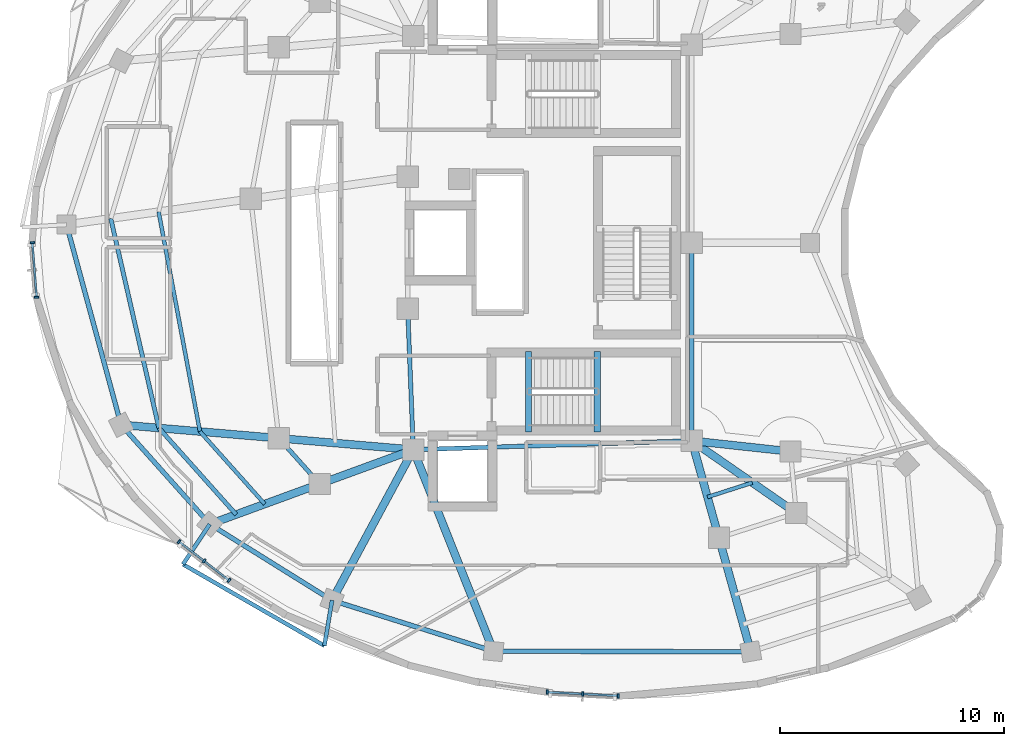
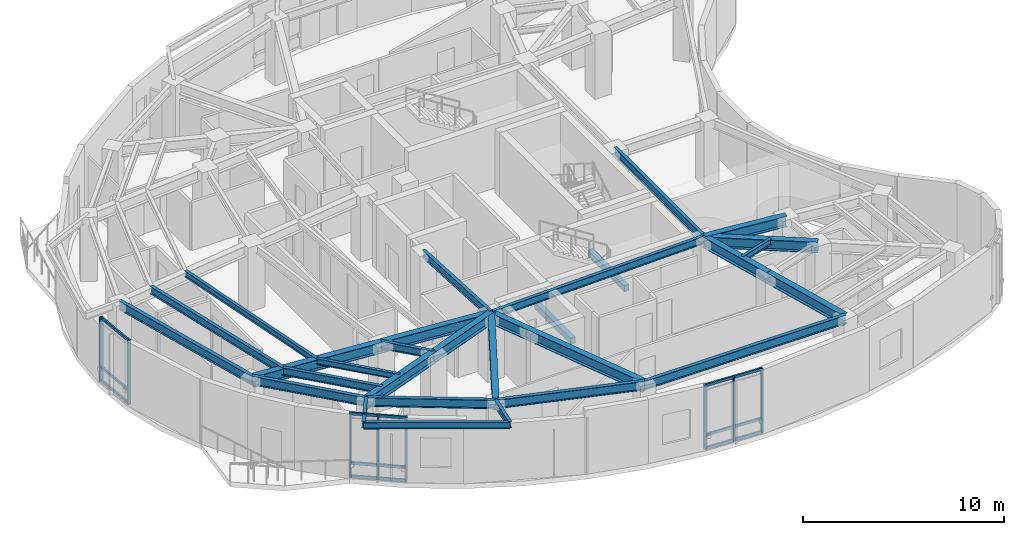
# One storey, part 2 of 13: 29 beams, 23 members, 3 elements without a shape of their own.
"""IFC4 building model written with IfcOpenShell, lengths in metres."""

from ifc_helpers import new_model, si_unit, direction, frame, origin, origin_2d, place, context, subcontext, project, spatial, rectangle, i_section, extrude, material, layer, layer_set, material_profile, profile_set, type_object, element, aggregate, save


model = new_model("IFC4")

# Units and contexts
model_context = context("Model", 3, precision=1e-05, world=origin(), true_north=direction((0.0, 1.0)))
body_context = subcontext(model_context, "Body", "Model", "MODEL_VIEW")
ifc_project = project(units=[si_unit("LENGTHUNIT", "METRE"), si_unit("AREAUNIT", "SQUARE_METRE"), si_unit("VOLUMEUNIT", "CUBIC_METRE"), si_unit("PLANEANGLEUNIT", "RADIAN"), si_unit("MASSUNIT", "GRAM", prefix="KILO")], contexts=[model_context])

# Site, building, storey
site_placement = place(None, origin())
site = spatial("IfcSite", under=ifc_project, at=site_placement, CompositionType="ELEMENT")
building_placement = place(site_placement, origin())
building = spatial("IfcBuilding", under=site, at=building_placement, Name="Korentha Bioscience Tower", CompositionType="ELEMENT")
storey_placement = place(building_placement, frame((0.0, 0.0, 268.800048828125)))
storey = spatial("IfcBuildingStorey", under=building, at=storey_placement, Name="L62", CompositionType="ELEMENT", Elevation=268.800048828125)

# Beams
ifc_material_1 = material(Name="Concrete C50", Category="concrete")
ifc_material_profile_1 = material_profile(ifc_material_1, rectangle(XDim=0.280029296875, YDim=0.3798828125, at=origin_2d()), Name="Concrete C50")
ifc_profile_set_1 = profile_set([ifc_material_profile_1], Name="Concrete C50 (ST-HB380)")
beam_type_1 = type_object("IfcBeamType", Name="Concrete Stair Header Beam RC 280x380", PredefinedType="BEAM", material=ifc_profile_set_1)
for number, where, z_axis, x_axis, name in (
    (1, (30.25, 18.550048828125, -0.18994140625), (0.0, 1.0, 0.0), (-1.0, 0.0, 0.0), "L62 ST-2 Concrete Stair Header Beam"),
    (2, (33.330078125, 18.550048828125, 1.909912109375), (0.0, 1.0, 0.0), (-1.0, 0.0, 0.0), "L62 ST-2 Half-Landing Header Beam 1"),
):
    element("IfcBeam", number, at=place(storey_placement, frame(where, z_axis=z_axis, x_axis=x_axis)), inside=storey, type_object=beam_type_1, Name=name, PredefinedType="BEAM", context=body_context, shape_type="SweptSolid", body=[
        extrude(rectangle(XDim=0.280029296875, YDim=0.3798828125, at=origin_2d()), origin(), (0.0, 0.0, 1.0), 3.599853515625),
    ])
ifc_material_2 = material(Name="Steel S355", Category="steel")
ifc_material_profile_2 = material_profile(ifc_material_2, i_section(OverallWidth=0.18994140625, OverallDepth=0.45703125, WebThickness=0.009033203125, FlangeThickness=0.014404296875, at=origin_2d()), Name="Steel S355")
ifc_profile_set_2 = profile_set([ifc_material_profile_2], Name="Steel S355 (MB-460)")
beam_type_2 = type_object("IfcBeamType", Name="Mid-Ring Tie Girder W460x74", PredefinedType="BEAM", material=ifc_profile_set_2)
beam_1_placement = place(storey_placement, frame((19.08984375, 18.262451171875, 3.67138671875), z_axis=(0.666159168073, -0.745809602239, 0.0), x_axis=(0.745809602239, 0.666159168073, 0.0)))
element("IfcBeam", 3, at=beam_1_placement, inside=storey, type_object=beam_type_2, Name="L62 Mid-Ring Tie Girder 08", PredefinedType="BEAM", context=body_context, shape_type="SweptSolid", body=[
    extrude(i_section(OverallWidth=0.18994140625, OverallDepth=0.45703125, WebThickness=0.009033203125, FlangeThickness=0.014404296875, at=origin_2d()), origin(), (0.0, 0.0, 1.0), 2.740234375),
])
beam_2_placement = place(storey_placement, frame((24.85009765625, 24.050048828125, 3.67138671875), z_axis=(0.039651025576, -0.999213588864, 0.0), x_axis=(0.999213588864, 0.039651025576, 0.0)))
element("IfcBeam", 4, at=beam_2_placement, inside=storey, type_object=beam_type_2, Name="L62 Core Ring Tie Girder 04", PredefinedType="BEAM", context=body_context, shape_type="SweptSolid", body=[
    extrude(i_section(OverallWidth=0.18994140625, OverallDepth=0.45703125, WebThickness=0.009033203125, FlangeThickness=0.014404296875, at=origin_2d()), origin(), (0.0, 0.0, 1.0), 6.304931640625),
])
beam_3_placement = place(storey_placement, frame((25.10009765625, 17.75, 3.67138671875), z_axis=(0.999484526071, 0.032104238723, 0.0), x_axis=(-0.032104238723, 0.999484526071, 0.0)))
element("IfcBeam", 5, at=beam_3_placement, inside=storey, type_object=beam_type_2, Name="L62 Core Ring Tie Girder 05", PredefinedType="BEAM", context=body_context, shape_type="SweptSolid", body=[
    extrude(i_section(OverallWidth=0.18994140625, OverallDepth=0.45703125, WebThickness=0.009033203125, FlangeThickness=0.014404296875, at=origin_2d()), origin(), (0.0, 0.0, 1.0), 12.456298828125),
])
beam_4_placement = place(storey_placement, frame((37.550048828125, 18.14990234375, 3.67138671875), z_axis=(0.0, 1.0, 0.0), x_axis=(-1.0, 0.0, 0.0)))
element("IfcBeam", 6, at=beam_4_placement, inside=storey, type_object=beam_type_2, Name="L62 Core Ring Tie Girder 06", PredefinedType="BEAM", context=body_context, shape_type="SweptSolid", body=[
    extrude(i_section(OverallWidth=0.18994140625, OverallDepth=0.45703125, WebThickness=0.009033203125, FlangeThickness=0.014404296875, at=origin_2d()), origin(), (0.0, 0.0, 1.0), 8.85009765625),
])

# Curtain wall, members
ifc_material_3 = material(Name="Thermally Broken Aluminium Frame", Category="aluminium")
ifc_layer = layer(ifc_material_3, 0.219970703125, Name="Thermally Broken Aluminium Frame")
ifc_layer_set = layer_set([ifc_layer], Name="Thermally Broken Aluminium Frame (CW-T2)")
curtain_wall_type = type_object("IfcCurtainWallType", Name="Solar-Screened Lab Unitised Curtain Wall CW-T2", PredefinedType="USERDEFINED", material=ifc_layer_set)
curtain_wall_1_placement = place(storey_placement, origin())
curtain_wall_1 = element("IfcCurtainWall", 7, at=curtain_wall_1_placement, inside=storey, type_object=curtain_wall_type, Name="L62 Curtain Wall 19", ObjectType="UNITISED", PredefinedType="USERDEFINED")
ifc_material_4 = material(Name="Anodised Aluminium 6063-T6", Category="aluminium")
ifc_material_profile_3 = material_profile(ifc_material_4, rectangle(XDim=0.090087890625, YDim=0.199951171875, at=origin_2d()), Name="Anodised Aluminium 6063-T6")
ifc_profile_set_3 = profile_set([ifc_material_profile_3], Name="Anodised Aluminium 6063-T6 (CW-MUL)")
member_type_1 = type_object("IfcMemberType", Name="Mullion RECT 90x200", PredefinedType="MULLION", material=ifc_profile_set_3)
member_1_placement = place(storey_placement, frame((8.06884765625, 27.007568359375, 0.0), z_axis=(0.0, 0.0, 1.0), x_axis=(0.078035250492, -0.996950600421, 0.0)))
member_1 = element("IfcMember", 8, at=member_1_placement, type_object=member_type_1, Name="CW-L62-19 Mullion 1", PredefinedType="MULLION", context=body_context, shape_type="SweptSolid", body=[
    extrude(rectangle(XDim=0.090087890625, YDim=0.199951171875, at=origin_2d()), origin(), (0.0, 0.0, 1.0), 3.89990234375),
])
member_2_placement = place(storey_placement, frame((8.259765625, 24.569091796875, 0.0), z_axis=(0.0, 0.0, 1.0), x_axis=(0.078035250492, -0.996950600421, 0.0)))
member_2 = element("IfcMember", 9, at=member_2_placement, type_object=member_type_1, Name="CW-L62-19 Mullion 2", PredefinedType="MULLION", context=body_context, shape_type="SweptSolid", body=[
    extrude(rectangle(XDim=0.090087890625, YDim=0.199951171875, at=origin_2d()), origin(), (0.0, 0.0, 1.0), 3.89990234375),
])

curtain_wall_2_placement = place(storey_placement, origin())
curtain_wall_2 = element("IfcCurtainWall", 10, at=curtain_wall_2_placement, inside=storey, type_object=curtain_wall_type, Name="L62 Curtain Wall 25", ObjectType="UNITISED", PredefinedType="USERDEFINED")
member_3_placement = place(storey_placement, frame((14.6259765625, 13.64111328125, 0.0), z_axis=(0.0, 0.0, 1.0), x_axis=(0.790487520139, -0.612478146961, 0.0)))
member_3 = element("IfcMember", 11, at=member_3_placement, type_object=member_type_1, Name="CW-L62-25 Mullion 1", PredefinedType="MULLION", context=body_context, shape_type="SweptSolid", body=[
    extrude(rectangle(XDim=0.090087890625, YDim=0.199951171875, at=origin_2d()), origin(), (0.0, 0.0, 1.0), 3.89990234375),
])
member_4_placement = place(storey_placement, frame((15.74560546875, 12.773681640625, 0.0), z_axis=(0.0, 0.0, 1.0), x_axis=(0.790487520139, -0.612478146961, 0.0)))
member_4 = element("IfcMember", 12, at=member_4_placement, type_object=member_type_1, Name="CW-L62-25 Mullion 2", PredefinedType="MULLION", context=body_context, shape_type="SweptSolid", body=[
    extrude(rectangle(XDim=0.090087890625, YDim=0.199951171875, at=origin_2d()), origin(), (0.0, 0.0, 1.0), 3.89990234375),
])
member_5_placement = place(storey_placement, frame((16.865234375, 11.90625, 0.0), z_axis=(0.0, 0.0, 1.0), x_axis=(0.790487520139, -0.612478146961, 0.0)))
member_5 = element("IfcMember", 13, at=member_5_placement, type_object=member_type_1, Name="CW-L62-25 Mullion 3", PredefinedType="MULLION", context=body_context, shape_type="SweptSolid", body=[
    extrude(rectangle(XDim=0.090087890625, YDim=0.199951171875, at=origin_2d()), origin(), (0.0, 0.0, 1.0), 3.89990234375),
])

curtain_wall_3_placement = place(storey_placement, origin())
curtain_wall_3 = element("IfcCurtainWall", 14, at=curtain_wall_3_placement, inside=storey, type_object=curtain_wall_type, Name="L62 Curtain Wall 31", ObjectType="UNITISED", PredefinedType="USERDEFINED")
member_6_placement = place(storey_placement, frame((31.086181640625, 6.91259765625, 0.0), z_axis=(0.0, 0.0, 1.0), x_axis=(0.998636113937, -0.052210266622, 0.0)))
member_6 = element("IfcMember", 15, at=member_6_placement, type_object=member_type_1, Name="CW-L62-31 Mullion 1", PredefinedType="MULLION", context=body_context, shape_type="SweptSolid", body=[
    extrude(rectangle(XDim=0.090087890625, YDim=0.199951171875, at=origin_2d()), origin(), (0.0, 0.0, 1.0), 3.89990234375),
])
member_7_placement = place(storey_placement, frame((32.6728515625, 6.82958984375, 0.0), z_axis=(0.0, 0.0, 1.0), x_axis=(0.998636113937, -0.052210266622, 0.0)))
member_7 = element("IfcMember", 16, at=member_7_placement, type_object=member_type_1, Name="CW-L62-31 Mullion 2", PredefinedType="MULLION", context=body_context, shape_type="SweptSolid", body=[
    extrude(rectangle(XDim=0.090087890625, YDim=0.199951171875, at=origin_2d()), origin(), (0.0, 0.0, 1.0), 3.89990234375),
])
member_8_placement = place(storey_placement, frame((34.259521484375, 6.74658203125, 0.0), z_axis=(0.0, 0.0, 1.0), x_axis=(0.998636113937, -0.052210266622, 0.0)))
member_8 = element("IfcMember", 17, at=member_8_placement, type_object=member_type_1, Name="CW-L62-31 Mullion 3", PredefinedType="MULLION", context=body_context, shape_type="SweptSolid", body=[
    extrude(rectangle(XDim=0.090087890625, YDim=0.199951171875, at=origin_2d()), origin(), (0.0, 0.0, 1.0), 3.89990234375),
])

# Beams
ifc_material_profile_4 = material_profile(ifc_material_2, i_section(OverallWidth=0.208984375, OverallDepth=0.532958984375, WebThickness=0.01025390625, FlangeThickness=0.015625, at=origin_2d()), Name="Steel S355")
ifc_profile_set_4 = profile_set([ifc_material_profile_4], Name="Steel S355 (SB-530)")
beam_type_3 = type_object("IfcBeamType", Name="Perimeter Ring Spandrel Girder W530x92", PredefinedType="SPANDREL", material=ifc_profile_set_4)
beam_5_placement = place(storey_placement, frame((9.597412109375, 27.810302734375, 3.633544921875), z_axis=(0.26282776206, -0.964842768274, 0.0), x_axis=(0.964842768274, 0.26282776206, 0.0)))
element("IfcBeam", 18, at=beam_5_placement, inside=storey, type_object=beam_type_3, Name="L62 Perimeter Spandrel Girder 07", PredefinedType="SPANDREL", context=body_context, shape_type="SweptSolid", body=[
    extrude(i_section(OverallWidth=0.208984375, OverallDepth=0.532958984375, WebThickness=0.01025390625, FlangeThickness=0.015625, at=origin_2d()), origin(), (0.0, 0.0, 1.0), 9.272216796875),
])
beam_6_placement = place(storey_placement, frame((12.034423828125, 18.864013671875, 3.633544921875), z_axis=(0.666168059737, -0.745801660086, 0.0), x_axis=(0.745801660086, 0.666168059737, 0.0)))
element("IfcBeam", 19, at=beam_6_placement, inside=storey, type_object=beam_type_3, Name="L62 Perimeter Spandrel Girder 08", PredefinedType="SPANDREL", context=body_context, shape_type="SweptSolid", body=[
    extrude(i_section(OverallWidth=0.208984375, OverallDepth=0.532958984375, WebThickness=0.01025390625, FlangeThickness=0.015625, at=origin_2d()), origin(), (0.0, 0.0, 1.0), 5.956787109375),
])
beam_7_placement = place(storey_placement, frame((16.002685546875, 14.42138671875, 3.633544921875), z_axis=(0.848585501162, -0.529058264482, 0.0), x_axis=(0.529058264482, 0.848585501162, 0.0)))
element("IfcBeam", 20, at=beam_7_placement, inside=storey, type_object=beam_type_3, Name="L62 Perimeter Spandrel Girder 09", PredefinedType="SPANDREL", context=body_context, shape_type="SweptSolid", body=[
    extrude(i_section(OverallWidth=0.208984375, OverallDepth=0.532958984375, WebThickness=0.01025390625, FlangeThickness=0.015625, at=origin_2d()), origin(), (0.0, 0.0, 1.0), 6.441162109375),
])
beam_8_placement = place(storey_placement, frame((21.468505859375, 11.013671875, 3.633544921875), z_axis=(0.953788154386, -0.300479877118, 0.0), x_axis=(0.300479877118, 0.953788154386, 0.0)))
element("IfcBeam", 21, at=beam_8_placement, inside=storey, type_object=beam_type_3, Name="L62 Perimeter Spandrel Girder 10", PredefinedType="SPANDREL", context=body_context, shape_type="SweptSolid", body=[
    extrude(i_section(OverallWidth=0.208984375, OverallDepth=0.532958984375, WebThickness=0.01025390625, FlangeThickness=0.015625, at=origin_2d()), origin(), (0.0, 0.0, 1.0), 7.5693359375),
])
beam_9_placement = place(storey_placement, frame((28.68798828125, 8.7392578125, 3.633544921875), z_axis=(0.999998255351, -0.001867965325, 0.0), x_axis=(0.001867965325, 0.999998255351, 0.0)))
element("IfcBeam", 22, at=beam_9_placement, inside=storey, type_object=beam_type_3, Name="L62 Perimeter Spandrel Girder 11", PredefinedType="SPANDREL", context=body_context, shape_type="SweptSolid", body=[
    extrude(i_section(OverallWidth=0.208984375, OverallDepth=0.532958984375, WebThickness=0.01025390625, FlangeThickness=0.015625, at=origin_2d()), origin(), (0.0, 0.0, 1.0), 11.50146484375),
])
ifc_material_profile_5 = material_profile(ifc_material_2, i_section(OverallWidth=0.18994140625, OverallDepth=0.45703125, WebThickness=0.009033203125, FlangeThickness=0.014404296875, at=origin_2d()), Name="Steel S355")
ifc_profile_set_5 = profile_set([ifc_material_profile_5], Name="Steel S355 (RB-460)")
beam_type_4 = type_object("IfcBeamType", Name="Radial Laboratory Beam W460x74", PredefinedType="BEAM", material=ifc_profile_set_5)
beam_10_placement = place(storey_placement, frame((11.57421875, 28.087646484375, 3.67138671875), z_axis=(0.224037694456, -0.974580479726, 0.0), x_axis=(0.974580479726, 0.224037694456, 0.0)))
element("IfcBeam", 23, at=beam_10_placement, inside=storey, type_object=beam_type_4, Name="L62 Secondary Floor Beam JSTO-07", PredefinedType="BEAM", context=body_context, shape_type="SweptSolid", body=[
    extrude(i_section(OverallWidth=0.18994140625, OverallDepth=0.45703125, WebThickness=0.009033203125, FlangeThickness=0.014404296875, at=origin_2d()), origin(), (0.0, 0.0, 1.0), 9.612548828125),
])
beam_11_placement = place(storey_placement, frame((13.727783203125, 18.719482421875, 3.67138671875), z_axis=(0.666197283, -0.745775556132, 0.0), x_axis=(0.745775556132, 0.666197283, 0.0)))
element("IfcBeam", 24, at=beam_11_placement, inside=storey, type_object=beam_type_4, Name="L62 Secondary Floor Beam JSTO-08", PredefinedType="BEAM", context=body_context, shape_type="SweptSolid", body=[
    extrude(i_section(OverallWidth=0.18994140625, OverallDepth=0.45703125, WebThickness=0.009033203125, FlangeThickness=0.014404296875, at=origin_2d()), origin(), (0.0, 0.0, 1.0), 5.184814453125),
])
ifc_material_profile_6 = material_profile(ifc_material_2, i_section(OverallWidth=0.35009765625, OverallDepth=0.64990234375, WebThickness=0.01611328125, FlangeThickness=0.02490234375, at=origin_2d()), Name="Steel S355")
ifc_profile_set_6 = profile_set([ifc_material_profile_6], Name="Steel S355 (RB-650)")
beam_type_5 = type_object("IfcBeamType", Name="Radial Laboratory Girder CVS 650x208", PredefinedType="BEAM", material=ifc_profile_set_6)
beam_12_placement = place(storey_placement, frame((25.10009765625, 17.75, 3.574951171875), z_axis=(-0.996384825277, 0.084954575849, 0.0), x_axis=(-0.084954575849, -0.996384825277, 0.0)))
element("IfcBeam", 25, at=beam_12_placement, inside=storey, type_object=beam_type_5, Name="L62 Inner Radial Girder 08", PredefinedType="BEAM", context=body_context, shape_type="SweptSolid", body=[
    extrude(i_section(OverallWidth=0.35009765625, OverallDepth=0.64990234375, WebThickness=0.01611328125, FlangeThickness=0.02490234375, at=origin_2d()), origin(), (0.0, 0.0, 1.0), 6.031982421875),
])
beam_13_placement = place(storey_placement, frame((19.08984375, 18.262451171875, 3.574951171875), z_axis=(-0.996384854796, 0.084954229635, 0.0), x_axis=(-0.084954229635, -0.996384854796, 0.0)))
element("IfcBeam", 26, at=beam_13_placement, inside=storey, type_object=beam_type_5, Name="L62 Outer Radial Girder 08", PredefinedType="BEAM", context=body_context, shape_type="SweptSolid", body=[
    extrude(i_section(OverallWidth=0.35009765625, OverallDepth=0.64990234375, WebThickness=0.01611328125, FlangeThickness=0.02490234375, at=origin_2d()), origin(), (0.0, 0.0, 1.0), 7.0810546875),
])
beam_14_placement = place(storey_placement, frame((25.10009765625, 17.75, 3.574951171875), z_axis=(-0.939106897866, -0.343625136422, 0.0), x_axis=(0.343625136422, -0.939106897866, 0.0)))
element("IfcBeam", 27, at=beam_14_placement, inside=storey, type_object=beam_type_5, Name="L62 Inner Radial Girder 09", PredefinedType="BEAM", context=body_context, shape_type="SweptSolid", body=[
    extrude(i_section(OverallWidth=0.35009765625, OverallDepth=0.64990234375, WebThickness=0.01611328125, FlangeThickness=0.02490234375, at=origin_2d()), origin(), (0.0, 0.0, 1.0), 4.4560546875),
])
beam_15_placement = place(storey_placement, frame((20.915283203125, 16.21875, 3.574951171875), z_axis=(-0.939118444477, -0.343593578583, 0.0), x_axis=(0.343593578583, -0.939118444477, 0.0)))
element("IfcBeam", 28, at=beam_15_placement, inside=storey, type_object=beam_type_5, Name="L62 Outer Radial Girder 09", PredefinedType="BEAM", context=body_context, shape_type="SweptSolid", body=[
    extrude(i_section(OverallWidth=0.35009765625, OverallDepth=0.64990234375, WebThickness=0.01611328125, FlangeThickness=0.02490234375, at=origin_2d()), origin(), (0.0, 0.0, 1.0), 5.23095703125),
])
beam_16_placement = place(storey_placement, frame((25.10009765625, 17.75, 3.574951171875), z_axis=(-0.474539218542, -0.880234360875, 0.0), x_axis=(0.880234360875, -0.474539218542, 0.0)))
element("IfcBeam", 29, at=beam_16_placement, inside=storey, type_object=beam_type_5, Name="L62 Radial Girder 10", PredefinedType="BEAM", context=body_context, shape_type="SweptSolid", body=[
    extrude(i_section(OverallWidth=0.35009765625, OverallDepth=0.64990234375, WebThickness=0.01611328125, FlangeThickness=0.02490234375, at=origin_2d()), origin(), (0.0, 0.0, 1.0), 7.65283203125),
])
beam_17_placement = place(storey_placement, frame((25.10009765625, 17.75, 3.574951171875), z_axis=(0.369931961537, -0.929058848423, 0.0), x_axis=(0.929058848423, 0.369931961537, 0.0)))
element("IfcBeam", 30, at=beam_17_placement, inside=storey, type_object=beam_type_5, Name="L62 Radial Girder 11", PredefinedType="BEAM", context=body_context, shape_type="SweptSolid", body=[
    extrude(i_section(OverallWidth=0.35009765625, OverallDepth=0.64990234375, WebThickness=0.01611328125, FlangeThickness=0.02490234375, at=origin_2d()), origin(), (0.0, 0.0, 1.0), 9.69873046875),
])
beam_18_placement = place(storey_placement, frame((37.550048828125, 18.14990234375, 3.574951171875), z_axis=(0.269471139951, -0.963008465556, 0.0), x_axis=(0.963008465556, 0.269471139951, 0.0)))
element("IfcBeam", 31, at=beam_18_placement, inside=storey, type_object=beam_type_5, Name="L62 Inner Radial Girder 12", PredefinedType="BEAM", context=body_context, shape_type="SweptSolid", body=[
    extrude(i_section(OverallWidth=0.35009765625, OverallDepth=0.64990234375, WebThickness=0.01611328125, FlangeThickness=0.02490234375, at=origin_2d()), origin(), (0.0, 0.0, 1.0), 4.505615234375),
])
beam_19_placement = place(storey_placement, frame((38.76416015625, 13.81103515625, 3.574951171875), z_axis=(0.26948609841, -0.963004279723, 0.0), x_axis=(0.963004279723, 0.26948609841, 0.0)))
element("IfcBeam", 32, at=beam_19_placement, inside=storey, type_object=beam_type_5, Name="L62 Outer Radial Girder 12", PredefinedType="BEAM", context=body_context, shape_type="SweptSolid", body=[
    extrude(i_section(OverallWidth=0.35009765625, OverallDepth=0.64990234375, WebThickness=0.01611328125, FlangeThickness=0.02490234375, at=origin_2d()), origin(), (0.0, 0.0, 1.0), 5.288818359375),
])
beam_20_placement = place(storey_placement, frame((37.550048828125, 18.14990234375, 3.574951171875), z_axis=(0.822500009141, -0.56876509647, 0.0), x_axis=(0.56876509647, 0.822500009141, 0.0)))
element("IfcBeam", 33, at=beam_20_placement, inside=storey, type_object=beam_type_5, Name="L62 Inner Radial Girder 13", PredefinedType="BEAM", context=body_context, shape_type="SweptSolid", body=[
    extrude(i_section(OverallWidth=0.35009765625, OverallDepth=0.64990234375, WebThickness=0.01611328125, FlangeThickness=0.02490234375, at=origin_2d()), origin(), (0.0, 0.0, 1.0), 5.6796875),
])
beam_21_placement = place(storey_placement, frame((37.550048828125, 18.14990234375, 3.574951171875), z_axis=(0.994121454153, -0.108270653423, 0.0), x_axis=(0.108270653423, 0.994121454153, 0.0)))
element("IfcBeam", 34, at=beam_21_placement, inside=storey, type_object=beam_type_5, Name="L62 Inner Radial Girder 14", PredefinedType="BEAM", context=body_context, shape_type="SweptSolid", body=[
    extrude(i_section(OverallWidth=0.35009765625, OverallDepth=0.64990234375, WebThickness=0.01611328125, FlangeThickness=0.02490234375, at=origin_2d()), origin(), (0.0, 0.0, 1.0), 4.43994140625),
])
ifc_material_profile_7 = material_profile(ifc_material_2, i_section(OverallWidth=0.1708984375, OverallDepth=0.35498046875, WebThickness=0.007080078125, FlangeThickness=0.01171875, at=origin_2d()), Name="Steel S355")
ifc_profile_set_7 = profile_set([ifc_material_profile_7], Name="Steel S355 (JB-360)")
beam_type_6 = type_object("IfcBeamType", Name="Secondary Laboratory Joist W360x51", PredefinedType="JOIST", material=ifc_profile_set_7)
beam_22_placement = place(storey_placement, frame((13.715576171875, 28.38818359375, 3.722412109375), z_axis=(0.184699906213, -0.98279496572, 0.0), x_axis=(0.98279496572, 0.184699906213, 0.0)))
element("IfcBeam", 35, at=beam_22_placement, inside=storey, type_object=beam_type_6, Name="L62 Secondary Floor Beam JST-07", PredefinedType="JOIST", context=body_context, shape_type="SweptSolid", body=[
    extrude(i_section(OverallWidth=0.1708984375, OverallDepth=0.35498046875, WebThickness=0.007080078125, FlangeThickness=0.01171875, at=origin_2d()), origin(), (0.0, 0.0, 1.0), 9.9970703125),
])
beam_23_placement = place(storey_placement, frame((15.56201171875, 18.563232421875, 3.722412109375), z_axis=(0.666180871809, -0.745790215836, 0.0), x_axis=(0.745790215836, 0.666180871809, 0.0)))
element("IfcBeam", 36, at=beam_23_placement, inside=storey, type_object=beam_type_6, Name="L62 Secondary Floor Beam JST-08", PredefinedType="JOIST", context=body_context, shape_type="SweptSolid", body=[
    extrude(i_section(OverallWidth=0.1708984375, OverallDepth=0.35498046875, WebThickness=0.007080078125, FlangeThickness=0.01171875, at=origin_2d()), origin(), (0.0, 0.0, 1.0), 4.3486328125),
])
beam_24_placement = place(storey_placement, frame((38.254150390625, 15.63330078125, 3.722412109375), z_axis=(0.952238215196, 0.305356155202, 0.0), x_axis=(-0.305356155202, 0.952238215196, 0.0)))
element("IfcBeam", 37, at=beam_24_placement, inside=storey, type_object=beam_type_6, Name="L62 Inner Bay Joist 12", PredefinedType="JOIST", context=body_context, shape_type="SweptSolid", body=[
    extrude(i_section(OverallWidth=0.1708984375, OverallDepth=0.35498046875, WebThickness=0.007080078125, FlangeThickness=0.01171875, at=origin_2d()), origin(), (0.0, 0.0, 1.0), 2.10595703125),
])
ifc_material_profile_8 = material_profile(ifc_material_2, i_section(OverallWidth=0.177978515625, OverallDepth=0.406982421875, WebThickness=0.0078125, FlangeThickness=0.0126953125, at=origin_2d()), Name="Steel S355")
ifc_profile_set_8 = profile_set([ifc_material_profile_8], Name="Steel S355 (CB-410)")
beam_type_7 = type_object("IfcBeamType", Name="Sun-Ledge Cantilever Beam W410x60", PredefinedType="BEAM", material=ifc_profile_set_8)
beam_25_placement = place(storey_placement, frame((16.002685546875, 14.42138671875, 3.698486328125), z_axis=(-0.553917336092, -0.832571669453, 0.0), x_axis=(0.832571669453, -0.553917336092, 0.0)))
element("IfcBeam", 38, at=beam_25_placement, inside=storey, type_object=beam_type_7, Name="L62 Balcony Cantilever Bracket A-L63-03", PredefinedType="BEAM", context=body_context, shape_type="SweptSolid", body=[
    extrude(i_section(OverallWidth=0.177978515625, OverallDepth=0.406982421875, WebThickness=0.0078125, FlangeThickness=0.0126953125, at=origin_2d()), origin(), (0.0, 0.0, 1.0), 2.15966796875),
])
beam_26_placement = place(storey_placement, frame((21.468505859375, 11.013671875, 3.698486328125), z_axis=(-0.165958067766, -0.986132810398, 0.0), x_axis=(0.986132810398, -0.165958067766, 0.0)))
element("IfcBeam", 39, at=beam_26_placement, inside=storey, type_object=beam_type_7, Name="L62 Balcony Cantilever Bracket B-L63-03", PredefinedType="BEAM", context=body_context, shape_type="SweptSolid", body=[
    extrude(i_section(OverallWidth=0.177978515625, OverallDepth=0.406982421875, WebThickness=0.0078125, FlangeThickness=0.0126953125, at=origin_2d()), origin(), (0.0, 0.0, 1.0), 2.056640625),
])
beam_27_placement = place(storey_placement, frame((14.806396484375, 12.623291015625, 3.698486328125), z_axis=(0.866714561046, -0.498804440308, 0.0), x_axis=(0.498804440308, 0.866714561046, 0.0)))
element("IfcBeam", 40, at=beam_27_placement, inside=storey, type_object=beam_type_7, Name="L62 Balcony Edge Trimmer Beam L63-03", PredefinedType="BEAM", context=body_context, shape_type="SweptSolid", body=[
    extrude(i_section(OverallWidth=0.177978515625, OverallDepth=0.406982421875, WebThickness=0.0078125, FlangeThickness=0.0126953125, at=origin_2d()), origin(), (0.0, 0.0, 1.0), 7.292724609375),
])

# Member
ifc_material_profile_9 = material_profile(ifc_material_4, rectangle(XDim=0.090087890625, YDim=0.159912109375, at=origin_2d()), Name="Anodised Aluminium 6063-T6")
ifc_profile_set_9 = profile_set([ifc_material_profile_9], Name="Anodised Aluminium 6063-T6 (CW-TRN)")
member_type_2 = type_object("IfcMemberType", Name="Transom RECT 90x160", PredefinedType="USERDEFINED", material=ifc_profile_set_9)
member_9_placement = place(storey_placement, frame((8.072509765625, 26.962646484375, 0.044921875), z_axis=(0.078027673701, -0.996951193458, 0.0), x_axis=(0.996951193458, 0.078027673701, 0.0)))
member_9 = element("IfcMember", 41, at=member_9_placement, type_object=member_type_2, Name="CW-L62-19 Bay 1 Transom 1", ObjectType="TRANSOM", PredefinedType="USERDEFINED", context=body_context, shape_type="SweptSolid", body=[
    extrude(rectangle(XDim=0.090087890625, YDim=0.159912109375, at=origin_2d()), origin(), (0.0, 0.0, 1.0), 2.35595703125),
])

member_10_placement = place(storey_placement, frame((8.072509765625, 26.962646484375, 0.849853515625), z_axis=(0.078027673701, -0.996951193458, 0.0), x_axis=(0.996951193458, 0.078027673701, 0.0)))
member_10 = element("IfcMember", 42, at=member_10_placement, type_object=member_type_2, Name="CW-L62-19 Bay 1 Transom 2", ObjectType="TRANSOM", PredefinedType="USERDEFINED", context=body_context, shape_type="SweptSolid", body=[
    extrude(rectangle(XDim=0.090087890625, YDim=0.159912109375, at=origin_2d()), origin(), (0.0, 0.0, 1.0), 2.35595703125),
])

member_11_placement = place(storey_placement, frame((8.072509765625, 26.962646484375, 3.85498046875), z_axis=(0.078027673701, -0.996951193458, 0.0), x_axis=(0.996951193458, 0.078027673701, 0.0)))
member_11 = element("IfcMember", 43, at=member_11_placement, type_object=member_type_2, Name="CW-L62-19 Bay 1 Transom 3", ObjectType="TRANSOM", PredefinedType="USERDEFINED", context=body_context, shape_type="SweptSolid", body=[
    extrude(rectangle(XDim=0.090087890625, YDim=0.159912109375, at=origin_2d()), origin(), (0.0, 0.0, 1.0), 2.35595703125),
])

aggregate(curtain_wall_1, [member_1, member_2, member_9, member_10, member_11])

member_12_placement = place(storey_placement, frame((14.661376953125, 13.61376953125, 0.044921875), z_axis=(0.790470743722, -0.612499798628, 0.0), x_axis=(0.612499798628, 0.790470743722, 0.0)))
member_12 = element("IfcMember", 44, at=member_12_placement, type_object=member_type_2, Name="CW-L62-25 Bay 1 Transom 1", ObjectType="TRANSOM", PredefinedType="USERDEFINED", context=body_context, shape_type="SweptSolid", body=[
    extrude(rectangle(XDim=0.090087890625, YDim=0.159912109375, at=origin_2d()), origin(), (0.0, 0.0, 1.0), 1.326416015625),
])

member_13_placement = place(storey_placement, frame((14.661376953125, 13.61376953125, 0.849853515625), z_axis=(0.790470743722, -0.612499798628, 0.0), x_axis=(0.612499798628, 0.790470743722, 0.0)))
member_13 = element("IfcMember", 45, at=member_13_placement, type_object=member_type_2, Name="CW-L62-25 Bay 1 Transom 2", ObjectType="TRANSOM", PredefinedType="USERDEFINED", context=body_context, shape_type="SweptSolid", body=[
    extrude(rectangle(XDim=0.090087890625, YDim=0.159912109375, at=origin_2d()), origin(), (0.0, 0.0, 1.0), 1.326416015625),
])

member_14_placement = place(storey_placement, frame((14.661376953125, 13.61376953125, 3.85498046875), z_axis=(0.790470743722, -0.612499798628, 0.0), x_axis=(0.612499798628, 0.790470743722, 0.0)))
member_14 = element("IfcMember", 46, at=member_14_placement, type_object=member_type_2, Name="CW-L62-25 Bay 1 Transom 3", ObjectType="TRANSOM", PredefinedType="USERDEFINED", context=body_context, shape_type="SweptSolid", body=[
    extrude(rectangle(XDim=0.090087890625, YDim=0.159912109375, at=origin_2d()), origin(), (0.0, 0.0, 1.0), 1.326416015625),
])

member_15_placement = place(storey_placement, frame((15.781005859375, 12.74609375, 0.044921875), z_axis=(0.790470743722, -0.612499798628, 0.0), x_axis=(0.612499798628, 0.790470743722, 0.0)))
member_15 = element("IfcMember", 47, at=member_15_placement, type_object=member_type_2, Name="CW-L62-25 Bay 2 Transom 1", ObjectType="TRANSOM", PredefinedType="USERDEFINED", context=body_context, shape_type="SweptSolid", body=[
    extrude(rectangle(XDim=0.090087890625, YDim=0.159912109375, at=origin_2d()), origin(), (0.0, 0.0, 1.0), 1.326416015625),
])

member_16_placement = place(storey_placement, frame((15.781005859375, 12.74609375, 0.849853515625), z_axis=(0.790470743722, -0.612499798628, 0.0), x_axis=(0.612499798628, 0.790470743722, 0.0)))
member_16 = element("IfcMember", 48, at=member_16_placement, type_object=member_type_2, Name="CW-L62-25 Bay 2 Transom 2", ObjectType="TRANSOM", PredefinedType="USERDEFINED", context=body_context, shape_type="SweptSolid", body=[
    extrude(rectangle(XDim=0.090087890625, YDim=0.159912109375, at=origin_2d()), origin(), (0.0, 0.0, 1.0), 1.326416015625),
])

member_17_placement = place(storey_placement, frame((15.781005859375, 12.74609375, 3.85498046875), z_axis=(0.790470743722, -0.612499798628, 0.0), x_axis=(0.612499798628, 0.790470743722, 0.0)))
member_17 = element("IfcMember", 49, at=member_17_placement, type_object=member_type_2, Name="CW-L62-25 Bay 2 Transom 3", ObjectType="TRANSOM", PredefinedType="USERDEFINED", context=body_context, shape_type="SweptSolid", body=[
    extrude(rectangle(XDim=0.090087890625, YDim=0.159912109375, at=origin_2d()), origin(), (0.0, 0.0, 1.0), 1.326416015625),
])

aggregate(curtain_wall_2, [member_3, member_4, member_5, member_12, member_13, member_14, member_15, member_16, member_17])

member_18_placement = place(storey_placement, frame((31.131103515625, 6.91015625, 0.044921875), z_axis=(0.998631744919, -0.05229376674, 0.0), x_axis=(0.05229376674, 0.998631744919, 0.0)))
member_18 = element("IfcMember", 50, at=member_18_placement, type_object=member_type_2, Name="CW-L62-31 Bay 1 Transom 1", ObjectType="TRANSOM", PredefinedType="USERDEFINED", context=body_context, shape_type="SweptSolid", body=[
    extrude(rectangle(XDim=0.090087890625, YDim=0.159912109375, at=origin_2d()), origin(), (0.0, 0.0, 1.0), 1.49853515625),
])

member_19_placement = place(storey_placement, frame((31.131103515625, 6.91015625, 0.849853515625), z_axis=(0.998631744919, -0.05229376674, 0.0), x_axis=(0.05229376674, 0.998631744919, 0.0)))
member_19 = element("IfcMember", 51, at=member_19_placement, type_object=member_type_2, Name="CW-L62-31 Bay 1 Transom 2", ObjectType="TRANSOM", PredefinedType="USERDEFINED", context=body_context, shape_type="SweptSolid", body=[
    extrude(rectangle(XDim=0.090087890625, YDim=0.159912109375, at=origin_2d()), origin(), (0.0, 0.0, 1.0), 1.49853515625),
])

member_20_placement = place(storey_placement, frame((31.131103515625, 6.91015625, 3.85498046875), z_axis=(0.998631744919, -0.05229376674, 0.0), x_axis=(0.05229376674, 0.998631744919, 0.0)))
member_20 = element("IfcMember", 52, at=member_20_placement, type_object=member_type_2, Name="CW-L62-31 Bay 1 Transom 3", ObjectType="TRANSOM", PredefinedType="USERDEFINED", context=body_context, shape_type="SweptSolid", body=[
    extrude(rectangle(XDim=0.090087890625, YDim=0.159912109375, at=origin_2d()), origin(), (0.0, 0.0, 1.0), 1.49853515625),
])

member_21_placement = place(storey_placement, frame((32.7177734375, 6.827392578125, 0.044921875), z_axis=(0.998631744919, -0.05229376674, 0.0), x_axis=(0.05229376674, 0.998631744919, 0.0)))
member_21 = element("IfcMember", 53, at=member_21_placement, type_object=member_type_2, Name="CW-L62-31 Bay 2 Transom 1", ObjectType="TRANSOM", PredefinedType="USERDEFINED", context=body_context, shape_type="SweptSolid", body=[
    extrude(rectangle(XDim=0.090087890625, YDim=0.159912109375, at=origin_2d()), origin(), (0.0, 0.0, 1.0), 1.49853515625),
])

member_22_placement = place(storey_placement, frame((32.7177734375, 6.827392578125, 0.849853515625), z_axis=(0.998631744919, -0.05229376674, 0.0), x_axis=(0.05229376674, 0.998631744919, 0.0)))
member_22 = element("IfcMember", 54, at=member_22_placement, type_object=member_type_2, Name="CW-L62-31 Bay 2 Transom 2", ObjectType="TRANSOM", PredefinedType="USERDEFINED", context=body_context, shape_type="SweptSolid", body=[
    extrude(rectangle(XDim=0.090087890625, YDim=0.159912109375, at=origin_2d()), origin(), (0.0, 0.0, 1.0), 1.49853515625),
])

member_23_placement = place(storey_placement, frame((32.7177734375, 6.827392578125, 3.85498046875), z_axis=(0.998631744919, -0.05229376674, 0.0), x_axis=(0.05229376674, 0.998631744919, 0.0)))
member_23 = element("IfcMember", 55, at=member_23_placement, type_object=member_type_2, Name="CW-L62-31 Bay 2 Transom 3", ObjectType="TRANSOM", PredefinedType="USERDEFINED", context=body_context, shape_type="SweptSolid", body=[
    extrude(rectangle(XDim=0.090087890625, YDim=0.159912109375, at=origin_2d()), origin(), (0.0, 0.0, 1.0), 1.49853515625),
])

aggregate(curtain_wall_3, [member_6, member_7, member_8, member_18, member_19, member_20, member_21, member_22, member_23])

save(model, "model.ifc")
